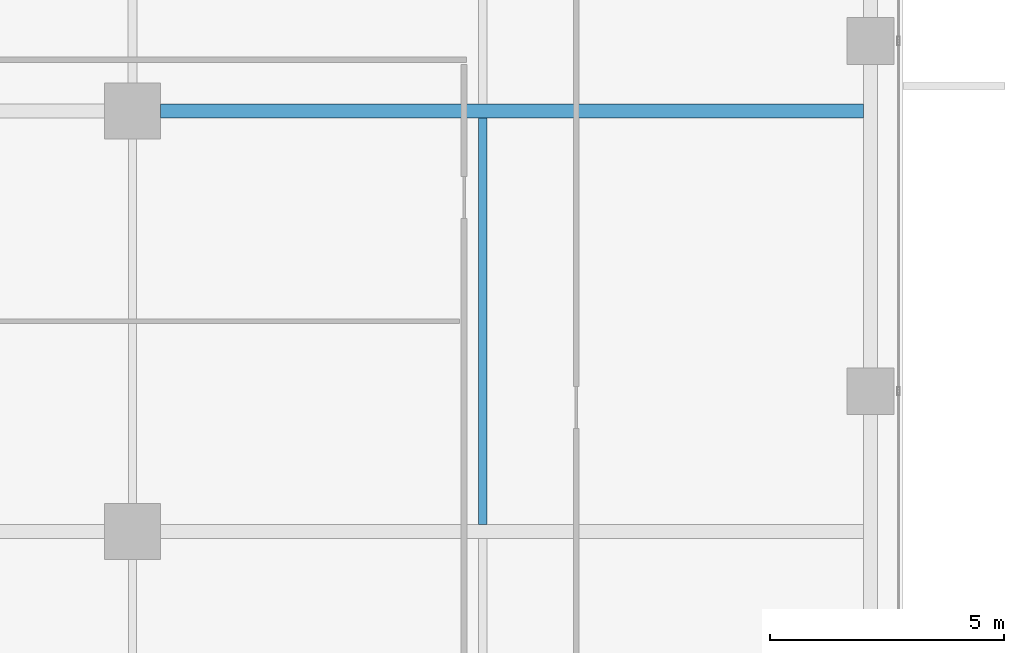
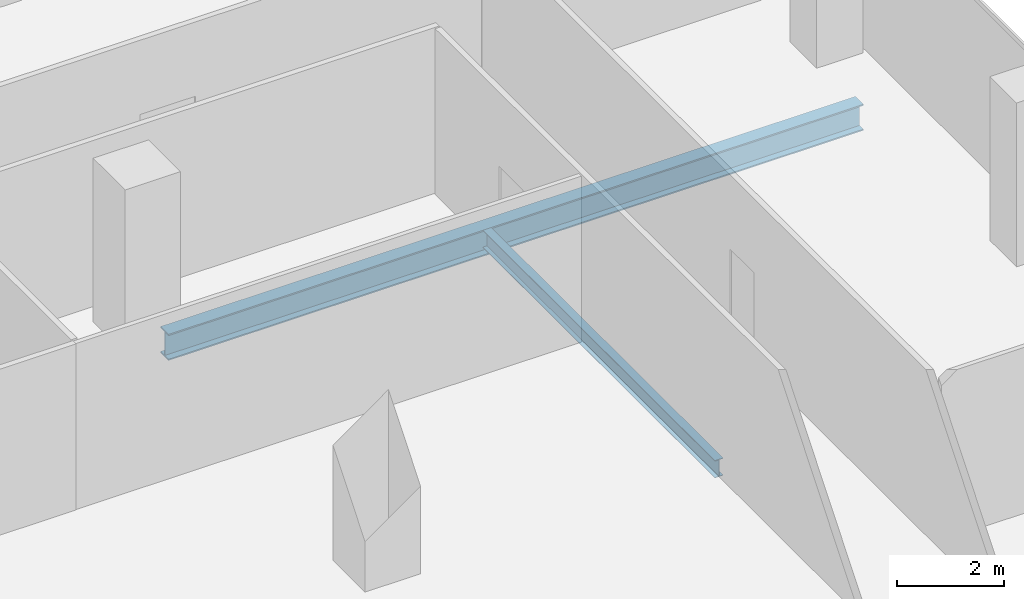
# One storey, part 23 of 40: 2 beams.
"""IFC4 building model written with IfcOpenShell, lengths in metres."""

import ifcopenshell
import ifcopenshell.guid

model = None  # the IFC model being written
_history = None  # IfcOwnerHistory: only IFC2X3 demands one
_inside = {}  # id of a spatial element -> (the spatial element, [elements in it])
_under = {}  # id of a project, library or spatial element -> (it, [spatial elements below it])
_declared = {}  # id of a project -> (the project, [libraries it declares])
_typed = {}  # id of a type object -> (the type object, [elements of that type])
_made_of = {}  # id of a material, layer set ... -> (it, [elements and type objects made of it])


def new_model(schema):
    """Start an empty IFC model of exactly this schema.

    Asked for "IFC4X3", IfcOpenShell would pick the latest addendum, in which some entities
    have other attributes; the version numbers below select the first issue.
    IFC2X3 requires an IfcOwnerHistory on every rooted entity: one is made here for all.
    """
    global model, _history
    if schema == "IFC4X3":
        model = ifcopenshell.file(schema_version=(4, 3, 0, 0))
    else:
        model = ifcopenshell.file(schema=schema)
    _inside.clear()
    _under.clear()
    _declared.clear()
    _typed.clear()
    _made_of.clear()
    _history = None
    if model.schema == "IFC2X3":
        org = make("IfcOrganization", Name="unknown")
        user = make(
            "IfcPersonAndOrganization",
            ThePerson=make("IfcPerson", FamilyName="unknown"),
            TheOrganization=org,
        )
        app = make(
            "IfcApplication",
            ApplicationDeveloper=org,
            Version="unknown",
            ApplicationFullName="unknown",
            ApplicationIdentifier="unknown",
        )
        _history = make(
            "IfcOwnerHistory",
            OwningUser=user,
            OwningApplication=app,
            ChangeAction="ADDED",
            CreationDate=0,
        )
    return model


def make(cls, **values):
    """One entity of the class cls with the attributes given. An attribute that is None is left unset."""
    return model.create_entity(
        cls, **{name: value for name, value in values.items() if value is not None}
    )


def rooted(cls, **values):
    """An entity with a GlobalId (a new one), such as an element, a storey or a relation."""
    return make(cls, GlobalId=ifcopenshell.guid.new(), OwnerHistory=_history, **values)


def si_unit(unit_type, name, prefix=None):
    """IfcSIUnit, for example si_unit("LENGTHUNIT", "METRE", prefix="MILLI")."""
    return make("IfcSIUnit", UnitType=unit_type, Prefix=prefix, Name=name)


def assignment(units):
    """IfcUnitAssignment: the units of a project."""
    return None if units is None else make("IfcUnitAssignment", Units=units)


def point(xyz):
    """IfcCartesianPoint."""
    return None if xyz is None else make("IfcCartesianPoint", Coordinates=xyz)


def direction(xyz):
    """IfcDirection."""
    return None if xyz is None else make("IfcDirection", DirectionRatios=xyz)


def frame(location, z_axis=None, x_axis=None):
    """IfcAxis2Placement3D, a coordinate frame: its origin and axes. An axis left out is left unset."""
    return make(
        "IfcAxis2Placement3D",
        Location=point(location),
        Axis=direction(z_axis),
        RefDirection=direction(x_axis),
    )


def frame_2d(location, x_axis=None):
    """IfcAxis2Placement2D, a coordinate frame in the plane: its origin and x axis."""
    return make(
        "IfcAxis2Placement2D", Location=point(location), RefDirection=direction(x_axis)
    )


def origin():
    """The frame at (0, 0, 0) with its axes left unset."""
    return frame((0.0, 0.0, 0.0))


def origin_2d():
    """The frame at (0, 0) in the plane with its x axis left unset."""
    return frame_2d((0.0, 0.0))


def place(relative_to, where):
    """IfcLocalPlacement: puts the frame where relative to a parent placement (None: the world)."""
    return make(
        "IfcLocalPlacement", PlacementRelTo=relative_to, RelativePlacement=where
    )


def context(
    kind, dimensions, precision=None, world=None, true_north=None, identifier=None
):
    """IfcGeometricRepresentationContext, for example the 3D "Model" context."""
    return make(
        "IfcGeometricRepresentationContext",
        ContextIdentifier=identifier,
        ContextType=kind,
        CoordinateSpaceDimension=dimensions,
        Precision=precision,
        WorldCoordinateSystem=world,
        TrueNorth=true_north,
    )


def subcontext(parent, identifier, kind, view, scale=None):
    """IfcGeometricRepresentationSubContext, for example "Body" below "Model"."""
    return make(
        "IfcGeometricRepresentationSubContext",
        ContextIdentifier=identifier,
        ContextType=kind,
        ParentContext=parent,
        TargetScale=scale,
        TargetView=view,
    )


def project(units=None, contexts=None):
    """IfcProject with its units and contexts."""
    return rooted(
        "IfcProject",
        Name="project",
        RepresentationContexts=contexts,
        UnitsInContext=assignment(units),
    )


def spatial(cls, under=None, at=None, **own):
    """A site, building, storey or space (cls), placed at a placement, below another one or the project."""
    s = rooted(cls, ObjectPlacement=at, **own)
    if under is not None:
        _under.setdefault(under.id(), (under, []))[1].append(s)
    return s


def profile(cls, at=None, kind="AREA", **sizes):
    """A parametric profile (cls). Its sizes go by their IFC names, for example OverallWidth=200.0."""
    return make(cls, ProfileType=kind, Position=at, **sizes)


def i_section(**sizes):
    """IfcIShapeProfileDef."""
    return profile("IfcIShapeProfileDef", **sizes)


def extrude(swept, where, along, depth):
    """IfcExtrudedAreaSolid: the profile swept, set in the frame where, extruded along a direction by depth."""
    return make(
        "IfcExtrudedAreaSolid",
        SweptArea=swept,
        Position=where,
        ExtrudedDirection=direction(along),
        Depth=depth,
    )


def shape(context_of_items, identifier, shape_type, items):
    """IfcShapeRepresentation: the items that make up one representation, for example the "Body"."""
    return make(
        "IfcShapeRepresentation",
        ContextOfItems=context_of_items,
        RepresentationIdentifier=identifier,
        RepresentationType=shape_type,
        Items=items,
    )


def source(mapping_origin, context_of_items, identifier, shape_type, items):
    """IfcRepresentationMap: a shape defined once, which mapped items show again and again."""
    return make(
        "IfcRepresentationMap",
        MappingOrigin=mapping_origin,
        MappedRepresentation=shape(context_of_items, identifier, shape_type, items),
    )


def transform(
    local_origin,
    x_axis=None,
    y_axis=None,
    z_axis=None,
    scale=None,
    scale2=None,
    scale3=None,
    uniform=True,
):
    """IfcCartesianTransformationOperator3D, or its non-uniform kind. x_axis, y_axis, z_axis: its Axis1, 2, 3."""
    if uniform:
        return make(
            "IfcCartesianTransformationOperator3D",
            Axis1=direction(x_axis),
            Axis2=direction(y_axis),
            LocalOrigin=point(local_origin),
            Scale=scale,
            Axis3=direction(z_axis),
        )
    return make(
        "IfcCartesianTransformationOperator3DnonUniform",
        Axis1=direction(x_axis),
        Axis2=direction(y_axis),
        LocalOrigin=point(local_origin),
        Scale=scale,
        Axis3=direction(z_axis),
        Scale2=scale2,
        Scale3=scale3,
    )


def mapped(mapping_source, mapping_target):
    """IfcMappedItem: shows the shape of a source again, moved by a transform."""
    return make(
        "IfcMappedItem", MappingSource=mapping_source, MappingTarget=mapping_target
    )


def material(Name=None, Category=None):
    """IfcMaterial."""
    return make("IfcMaterial", Name=Name, Category=Category)


def material_profile(
    of_material, cross_section, Name=None, Category=None, Priority=None
):
    """IfcMaterialProfile: a cross section and its material."""
    return make(
        "IfcMaterialProfile",
        Name=Name,
        Material=of_material,
        Profile=cross_section,
        Priority=Priority,
        Category=Category,
    )


def profile_set(profiles, Name=None, composite=None):
    """IfcMaterialProfileSet."""
    return make(
        "IfcMaterialProfileSet",
        Name=Name,
        MaterialProfiles=profiles,
        CompositeProfile=composite,
    )


def made_of(thing, what):
    """Note that an element or type object is made of a material, layer set ...; save() writes the relation."""
    if what is not None:
        _made_of.setdefault(what.id(), (what, []))[1].append(thing)
    return thing


def type_object(cls, material=None, **own):
    """A type object (cls), such as IfcWallType, which elements share."""
    return made_of(rooted(cls, **own), material)


def element(
    cls,
    number,
    at=None,
    inside=None,
    cuts=None,
    type_object=None,
    material=None,
    context=None,
    identifier="Body",
    shape_type=None,
    held_by="IfcProductDefinitionShape",
    body=None,
    shapes=None,
    **own,
):
    """One element of the class cls, such as IfcWall. Its Tag is "e" and its number.

    at: its placement. inside: the storey or other place that contains it. cuts: it is an
    opening in that element (IfcRelVoidsElement). A single representation is given by context,
    identifier, shape_type and body (its items); several are given by shapes. held_by: the class
    of the entity that holds the representations. save() writes the other relations.
    """
    e = rooted(cls, Tag="e%d" % number, ObjectPlacement=at, **own)
    if body is not None:
        shapes = [shape(context, identifier, shape_type, body)]
    if shapes is not None:
        e.Representation = make(held_by, Representations=shapes)
    if inside is not None:
        _inside.setdefault(inside.id(), (inside, []))[1].append(e)
    if cuts is not None:
        rooted(
            "IfcRelVoidsElement", RelatingBuildingElement=cuts, RelatedOpeningElement=e
        )
    if type_object is not None:
        _typed.setdefault(type_object.id(), (type_object, []))[1].append(e)
    return made_of(e, material)


def aggregate(whole, parts):
    """IfcRelAggregates: a whole, such as a stair, and the parts it consists of."""
    return rooted("IfcRelAggregates", RelatingObject=whole, RelatedObjects=parts)


def save(model, path):
    """Write the relations noted so far, then the file.

    IfcRelAggregates (storeys below a building ...), IfcRelContainedInSpatialStructure (elements
    in a storey), IfcRelDefinesByType, IfcRelAssociatesMaterial and IfcRelDeclares: one each for
    every whole, place, type object, material and project.
    """
    for whole, parts in _under.values():
        aggregate(whole, parts)
    for where, things in _inside.values():
        rooted(
            "IfcRelContainedInSpatialStructure",
            RelatedElements=things,
            RelatingStructure=where,
        )
    for kind, things in _typed.values():
        rooted("IfcRelDefinesByType", RelatedObjects=things, RelatingType=kind)
    for what, things in _made_of.values():
        rooted("IfcRelAssociatesMaterial", RelatedObjects=things, RelatingMaterial=what)
    for by, libraries in _declared.values():
        rooted("IfcRelDeclares", RelatingContext=by, RelatedDefinitions=libraries)
    model.write(path)


model = new_model("IFC4")

# Units and contexts
model_context = context("Model", 3, precision=1e-05, world=origin(), true_north=direction((0.0, 1.0)))
body_context = subcontext(model_context, "Body", "Model", "MODEL_VIEW")
ifc_project = project(units=[si_unit("LENGTHUNIT", "METRE"), si_unit("AREAUNIT", "SQUARE_METRE"), si_unit("VOLUMEUNIT", "CUBIC_METRE"), si_unit("PLANEANGLEUNIT", "RADIAN"), si_unit("MASSUNIT", "GRAM", prefix="KILO")], contexts=[model_context])

# Site, building, storey
site_placement = place(None, origin())
site = spatial("IfcSite", under=ifc_project, at=site_placement, CompositionType="ELEMENT")
building_placement = place(site_placement, origin())
building = spatial("IfcBuilding", under=site, at=building_placement, Name="Khomas Fold Tower", CompositionType="ELEMENT")
storey_placement = place(building_placement, frame((0.0, 0.0, 204.699951171875)))
storey = spatial("IfcBuildingStorey", under=building, at=storey_placement, Name="L45", CompositionType="ELEMENT", Elevation=204.699951171875)

# Beams
ifc_material_1 = material(Name="Steel S355", Category="steel")
ifc_material_profile_1 = material_profile(ifc_material_1, i_section(OverallWidth=0.179931640625, OverallDepth=0.39990234375, WebThickness=0.008544921875, FlangeThickness=0.013427734375, at=origin_2d()), Name="IPE 400")
ifc_profile_set_1 = profile_set([ifc_material_profile_1], Name="Steel S355")
beam_type_1 = type_object("IfcBeamType", Name="IPE 400 beam JB3", PredefinedType="BEAM", material=ifc_profile_set_1)
shared_shape_1 = source(origin(), body_context, "Body", "SweptSolid", [
    extrude(i_section(OverallWidth=0.179931640625, OverallDepth=0.39990234375, WebThickness=0.008544921875, FlangeThickness=0.013427734375, at=origin_2d()), origin(), (0.0, 0.0, 1.0), 8.7001953125),
])
beam_1_placement = place(storey_placement, frame((42.0, 31.64990234375, -0.449951171875), z_axis=(0.0, 1.0, 0.0), x_axis=(-1.0, 0.0, 0.0)))
element("IfcBeam", 1, at=beam_1_placement, inside=storey, type_object=beam_type_1, Name="JB3", PredefinedType="BEAM", context=body_context, shape_type="MappedRepresentation", body=[
    mapped(shared_shape_1, transform((0.0, 0.0, 0.0))),
])
ifc_material_2 = material(Name="Steel S355", Category="steel")
ifc_material_profile_2 = material_profile(ifc_material_2, i_section(OverallWidth=0.300048828125, OverallDepth=0.60009765625, WebThickness=0.015380859375, FlangeThickness=0.030029296875, at=origin_2d()), Name="HE 600 B")
ifc_profile_set_2 = profile_set([ifc_material_profile_2], Name="Steel S355")
beam_type_2 = type_object("IfcBeamType", Name="HE 600 B beam GB5", PredefinedType="BEAM", material=ifc_profile_set_2)
shared_shape_2 = source(origin(), body_context, "Body", "SweptSolid", [
    extrude(i_section(OverallWidth=0.300048828125, OverallDepth=0.60009765625, WebThickness=0.015380859375, FlangeThickness=0.030029296875, at=origin_2d()), origin(), (0.0, 0.0, 1.0), 15.0498046875),
])
beam_2_placement = place(storey_placement, frame((35.10009765625, 40.5, -0.550048828125), z_axis=(1.0, 0.0, 0.0), x_axis=(0.0, 1.0, 0.0)))
element("IfcBeam", 2, at=beam_2_placement, inside=storey, type_object=beam_type_2, Name="GB5", PredefinedType="BEAM", context=body_context, shape_type="MappedRepresentation", body=[
    mapped(shared_shape_2, transform((0.0, 0.0, 0.0))),
])

save(model, "model.ifc")
